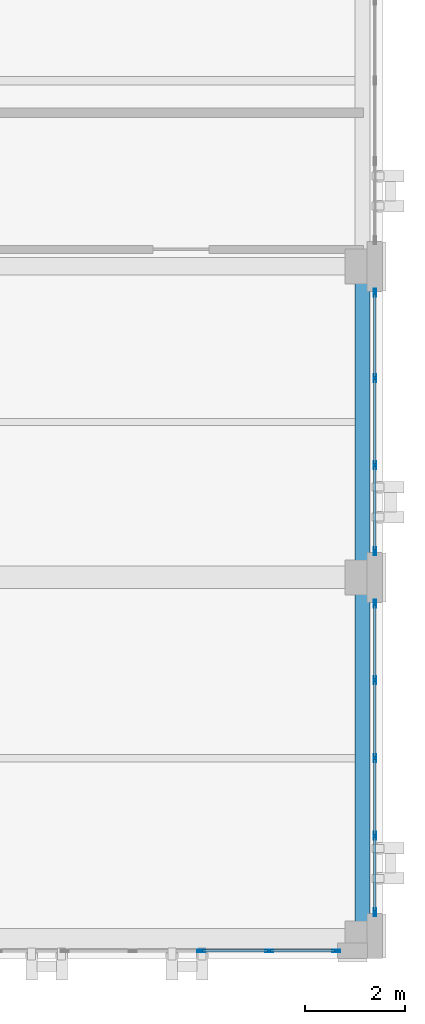
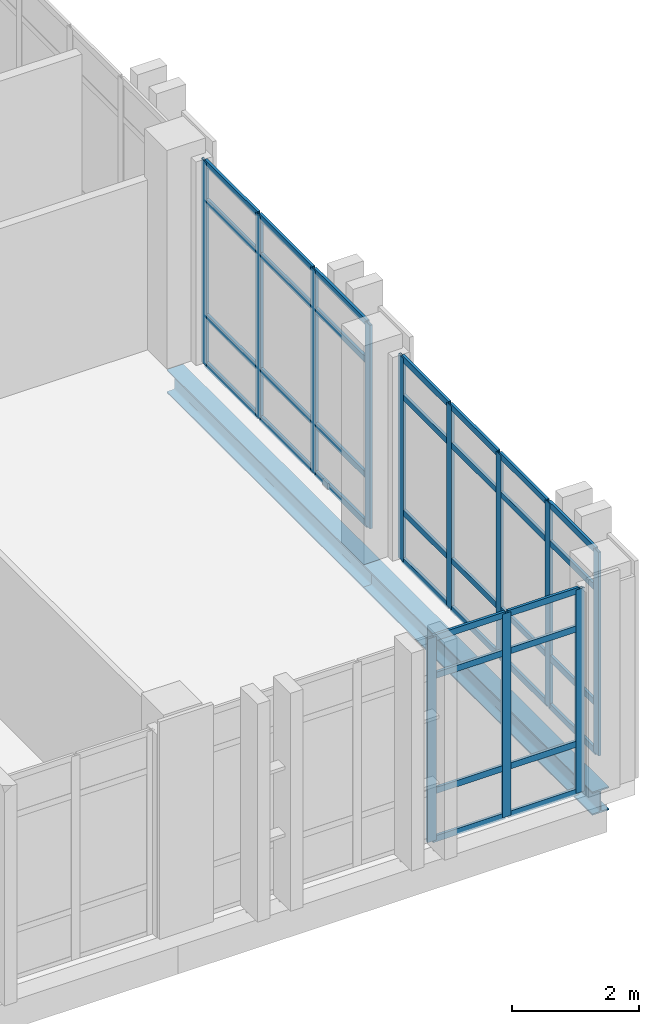
# One storey, part 128 of 193: 48 members, 2 beams, 3 elements without a shape of their own.
"""IFC4 building model written with IfcOpenShell, lengths in metres."""

import ifcopenshell
import ifcopenshell.guid

model = None  # the IFC model being written
_history = None  # IfcOwnerHistory: only IFC2X3 demands one
_inside = {}  # id of a spatial element -> (the spatial element, [elements in it])
_under = {}  # id of a project, library or spatial element -> (it, [spatial elements below it])
_declared = {}  # id of a project -> (the project, [libraries it declares])
_typed = {}  # id of a type object -> (the type object, [elements of that type])
_made_of = {}  # id of a material, layer set ... -> (it, [elements and type objects made of it])


def new_model(schema):
    """Start an empty IFC model of exactly this schema.

    Asked for "IFC4X3", IfcOpenShell would pick the latest addendum, in which some entities
    have other attributes; the version numbers below select the first issue.
    IFC2X3 requires an IfcOwnerHistory on every rooted entity: one is made here for all.
    """
    global model, _history
    if schema == "IFC4X3":
        model = ifcopenshell.file(schema_version=(4, 3, 0, 0))
    else:
        model = ifcopenshell.file(schema=schema)
    _inside.clear()
    _under.clear()
    _declared.clear()
    _typed.clear()
    _made_of.clear()
    _history = None
    if model.schema == "IFC2X3":
        org = make("IfcOrganization", Name="unknown")
        user = make(
            "IfcPersonAndOrganization",
            ThePerson=make("IfcPerson", FamilyName="unknown"),
            TheOrganization=org,
        )
        app = make(
            "IfcApplication",
            ApplicationDeveloper=org,
            Version="unknown",
            ApplicationFullName="unknown",
            ApplicationIdentifier="unknown",
        )
        _history = make(
            "IfcOwnerHistory",
            OwningUser=user,
            OwningApplication=app,
            ChangeAction="ADDED",
            CreationDate=0,
        )
    return model


def make(cls, **values):
    """One entity of the class cls with the attributes given. An attribute that is None is left unset."""
    return model.create_entity(
        cls, **{name: value for name, value in values.items() if value is not None}
    )


def rooted(cls, **values):
    """An entity with a GlobalId (a new one), such as an element, a storey or a relation."""
    return make(cls, GlobalId=ifcopenshell.guid.new(), OwnerHistory=_history, **values)


def si_unit(unit_type, name, prefix=None):
    """IfcSIUnit, for example si_unit("LENGTHUNIT", "METRE", prefix="MILLI")."""
    return make("IfcSIUnit", UnitType=unit_type, Prefix=prefix, Name=name)


def assignment(units):
    """IfcUnitAssignment: the units of a project."""
    return None if units is None else make("IfcUnitAssignment", Units=units)


def point(xyz):
    """IfcCartesianPoint."""
    return None if xyz is None else make("IfcCartesianPoint", Coordinates=xyz)


def direction(xyz):
    """IfcDirection."""
    return None if xyz is None else make("IfcDirection", DirectionRatios=xyz)


def frame(location, z_axis=None, x_axis=None):
    """IfcAxis2Placement3D, a coordinate frame: its origin and axes. An axis left out is left unset."""
    return make(
        "IfcAxis2Placement3D",
        Location=point(location),
        Axis=direction(z_axis),
        RefDirection=direction(x_axis),
    )


def frame_2d(location, x_axis=None):
    """IfcAxis2Placement2D, a coordinate frame in the plane: its origin and x axis."""
    return make(
        "IfcAxis2Placement2D", Location=point(location), RefDirection=direction(x_axis)
    )


def origin():
    """The frame at (0, 0, 0) with its axes left unset."""
    return frame((0.0, 0.0, 0.0))


def origin_2d():
    """The frame at (0, 0) in the plane with its x axis left unset."""
    return frame_2d((0.0, 0.0))


def place(relative_to, where):
    """IfcLocalPlacement: puts the frame where relative to a parent placement (None: the world)."""
    return make(
        "IfcLocalPlacement", PlacementRelTo=relative_to, RelativePlacement=where
    )


def context(
    kind, dimensions, precision=None, world=None, true_north=None, identifier=None
):
    """IfcGeometricRepresentationContext, for example the 3D "Model" context."""
    return make(
        "IfcGeometricRepresentationContext",
        ContextIdentifier=identifier,
        ContextType=kind,
        CoordinateSpaceDimension=dimensions,
        Precision=precision,
        WorldCoordinateSystem=world,
        TrueNorth=true_north,
    )


def subcontext(parent, identifier, kind, view, scale=None):
    """IfcGeometricRepresentationSubContext, for example "Body" below "Model"."""
    return make(
        "IfcGeometricRepresentationSubContext",
        ContextIdentifier=identifier,
        ContextType=kind,
        ParentContext=parent,
        TargetScale=scale,
        TargetView=view,
    )


def project(units=None, contexts=None):
    """IfcProject with its units and contexts."""
    return rooted(
        "IfcProject",
        Name="project",
        RepresentationContexts=contexts,
        UnitsInContext=assignment(units),
    )


def spatial(cls, under=None, at=None, **own):
    """A site, building, storey or space (cls), placed at a placement, below another one or the project."""
    s = rooted(cls, ObjectPlacement=at, **own)
    if under is not None:
        _under.setdefault(under.id(), (under, []))[1].append(s)
    return s


def profile(cls, at=None, kind="AREA", **sizes):
    """A parametric profile (cls). Its sizes go by their IFC names, for example OverallWidth=200.0."""
    return make(cls, ProfileType=kind, Position=at, **sizes)


def hollow_rectangle(**sizes):
    """IfcRectangleHollowProfileDef."""
    return profile("IfcRectangleHollowProfileDef", **sizes)


def i_section(**sizes):
    """IfcIShapeProfileDef."""
    return profile("IfcIShapeProfileDef", **sizes)


def extrude(swept, where, along, depth):
    """IfcExtrudedAreaSolid: the profile swept, set in the frame where, extruded along a direction by depth."""
    return make(
        "IfcExtrudedAreaSolid",
        SweptArea=swept,
        Position=where,
        ExtrudedDirection=direction(along),
        Depth=depth,
    )


def shape(context_of_items, identifier, shape_type, items):
    """IfcShapeRepresentation: the items that make up one representation, for example the "Body"."""
    return make(
        "IfcShapeRepresentation",
        ContextOfItems=context_of_items,
        RepresentationIdentifier=identifier,
        RepresentationType=shape_type,
        Items=items,
    )


def material(Name=None, Category=None):
    """IfcMaterial."""
    return make("IfcMaterial", Name=Name, Category=Category)


def layer(
    of_material, thickness, ventilated=None, Name=None, Category=None, Priority=None
):
    """IfcMaterialLayer: one layer of a wall or slab, of a material (None: an air gap)."""
    return make(
        "IfcMaterialLayer",
        Material=of_material,
        LayerThickness=thickness,
        IsVentilated=ventilated,
        Name=Name,
        Category=Category,
        Priority=Priority,
    )


def layer_set(layers, Name=None):
    """IfcMaterialLayerSet."""
    return make("IfcMaterialLayerSet", MaterialLayers=layers, LayerSetName=Name)


def material_profile(
    of_material, cross_section, Name=None, Category=None, Priority=None
):
    """IfcMaterialProfile: a cross section and its material."""
    return make(
        "IfcMaterialProfile",
        Name=Name,
        Material=of_material,
        Profile=cross_section,
        Priority=Priority,
        Category=Category,
    )


def profile_set(profiles, Name=None, composite=None):
    """IfcMaterialProfileSet."""
    return make(
        "IfcMaterialProfileSet",
        Name=Name,
        MaterialProfiles=profiles,
        CompositeProfile=composite,
    )


def made_of(thing, what):
    """Note that an element or type object is made of a material, layer set ...; save() writes the relation."""
    if what is not None:
        _made_of.setdefault(what.id(), (what, []))[1].append(thing)
    return thing


def type_object(cls, material=None, **own):
    """A type object (cls), such as IfcWallType, which elements share."""
    return made_of(rooted(cls, **own), material)


def element(
    cls,
    number,
    at=None,
    inside=None,
    cuts=None,
    type_object=None,
    material=None,
    context=None,
    identifier="Body",
    shape_type=None,
    held_by="IfcProductDefinitionShape",
    body=None,
    shapes=None,
    **own,
):
    """One element of the class cls, such as IfcWall. Its Tag is "e" and its number.

    at: its placement. inside: the storey or other place that contains it. cuts: it is an
    opening in that element (IfcRelVoidsElement). A single representation is given by context,
    identifier, shape_type and body (its items); several are given by shapes. held_by: the class
    of the entity that holds the representations. save() writes the other relations.
    """
    e = rooted(cls, Tag="e%d" % number, ObjectPlacement=at, **own)
    if body is not None:
        shapes = [shape(context, identifier, shape_type, body)]
    if shapes is not None:
        e.Representation = make(held_by, Representations=shapes)
    if inside is not None:
        _inside.setdefault(inside.id(), (inside, []))[1].append(e)
    if cuts is not None:
        rooted(
            "IfcRelVoidsElement", RelatingBuildingElement=cuts, RelatedOpeningElement=e
        )
    if type_object is not None:
        _typed.setdefault(type_object.id(), (type_object, []))[1].append(e)
    return made_of(e, material)


def aggregate(whole, parts):
    """IfcRelAggregates: a whole, such as a stair, and the parts it consists of."""
    return rooted("IfcRelAggregates", RelatingObject=whole, RelatedObjects=parts)


def save(model, path):
    """Write the relations noted so far, then the file.

    IfcRelAggregates (storeys below a building ...), IfcRelContainedInSpatialStructure (elements
    in a storey), IfcRelDefinesByType, IfcRelAssociatesMaterial and IfcRelDeclares: one each for
    every whole, place, type object, material and project.
    """
    for whole, parts in _under.values():
        aggregate(whole, parts)
    for where, things in _inside.values():
        rooted(
            "IfcRelContainedInSpatialStructure",
            RelatedElements=things,
            RelatingStructure=where,
        )
    for kind, things in _typed.values():
        rooted("IfcRelDefinesByType", RelatedObjects=things, RelatingType=kind)
    for what, things in _made_of.values():
        rooted("IfcRelAssociatesMaterial", RelatedObjects=things, RelatingMaterial=what)
    for by, libraries in _declared.values():
        rooted("IfcRelDeclares", RelatingContext=by, RelatedDefinitions=libraries)
    model.write(path)


model = new_model("IFC4")

# Units and contexts
model_context = context("Model", 3, precision=1e-05, world=origin(), true_north=direction((0.0, 1.0)))
body_context = subcontext(model_context, "Body", "Model", "MODEL_VIEW")
ifc_project = project(units=[si_unit("LENGTHUNIT", "METRE"), si_unit("AREAUNIT", "SQUARE_METRE"), si_unit("VOLUMEUNIT", "CUBIC_METRE"), si_unit("PLANEANGLEUNIT", "RADIAN"), si_unit("MASSUNIT", "GRAM", prefix="KILO")], contexts=[model_context])

# Site, building, storey
site_placement = place(None, origin())
site = spatial("IfcSite", under=ifc_project, at=site_placement, CompositionType="ELEMENT")
building_placement = place(site_placement, origin())
building = spatial("IfcBuilding", under=site, at=building_placement, Name="Qalavern Law Courts", CompositionType="ELEMENT")
storey_placement = place(building_placement, frame((0.0, 0.0, 10.199951171875)))
storey = spatial("IfcBuildingStorey", under=building, at=storey_placement, Name="L02", CompositionType="ELEMENT", Elevation=10.199951171875)

# Curtain wall, members
ifc_material_1 = material(Name="Anodised aluminium and insulated glazing", Category="aluminium")
ifc_layer = layer(ifc_material_1, 0.172119140625)
ifc_layer_set = layer_set([ifc_layer], Name="Anodised aluminium and insulated glazing")
curtain_wall_type = type_object("IfcCurtainWallType", Name="ENV-CW-COURT", PredefinedType="USERDEFINED", material=ifc_layer_set)
curtain_wall_1_placement = place(storey_placement, origin())
curtain_wall_1 = element("IfcCurtainWall", 1, at=curtain_wall_1_placement, inside=storey, type_object=curtain_wall_type, Name="V6 unitised curtain wall L02 south 7", ObjectType="UNITISED CURTAIN WALL", PredefinedType="USERDEFINED")
ifc_material_2 = material(Name="Anodised aluminium", Category="aluminium")
ifc_material_profile_1 = material_profile(ifc_material_2, hollow_rectangle(XDim=0.048095703125, YDim=0.159912109375, WallThickness=0.00390625, at=origin_2d()), Name="ALU MULLION 48x160")
ifc_profile_set_1 = profile_set([ifc_material_profile_1], Name="Anodised aluminium")
member_type_1 = type_object("IfcMemberType", Name="ENV-CWM-48x160", PredefinedType="MULLION", material=ifc_profile_set_1)
member_1_placement = place(storey_placement, frame((162.3798828125, 1.155029296875, 0.0), z_axis=(0.0, 0.0, 1.0), x_axis=(0.0, 1.0, 0.0)))
member_1 = element("IfcMember", 2, at=member_1_placement, type_object=member_type_1, Name="CW-03 mullion 4", PredefinedType="MULLION", context=body_context, shape_type="SweptSolid", body=[
    extrude(hollow_rectangle(XDim=0.048095703125, YDim=0.159912109375, WallThickness=0.00390625, at=origin_2d()), origin(), (0.0, 0.0, 1.0), 3.9150390625),
])
member_2_placement = place(storey_placement, frame((163.739990234375, 1.155029296875, 0.0), z_axis=(0.0, 0.0, 1.0), x_axis=(0.0, 1.0, 0.0)))
member_2 = element("IfcMember", 3, at=member_2_placement, type_object=member_type_1, Name="CW-03 mullion 5", PredefinedType="MULLION", context=body_context, shape_type="SweptSolid", body=[
    extrude(hollow_rectangle(XDim=0.048095703125, YDim=0.159912109375, WallThickness=0.00390625, at=origin_2d()), origin(), (0.0, 0.0, 1.0), 3.9150390625),
])
member_3_placement = place(storey_placement, frame((165.075927734375, 1.155029296875, 0.0), z_axis=(0.0, 0.0, 1.0), x_axis=(0.0, 1.0, 0.0)))
member_3 = element("IfcMember", 4, at=member_3_placement, type_object=member_type_1, Name="CW-03 mullion 6", PredefinedType="MULLION", context=body_context, shape_type="SweptSolid", body=[
    extrude(hollow_rectangle(XDim=0.048095703125, YDim=0.159912109375, WallThickness=0.00390625, at=origin_2d()), origin(), (0.0, 0.0, 1.0), 3.9150390625),
])

curtain_wall_2_placement = place(storey_placement, origin())
curtain_wall_2 = element("IfcCurtainWall", 5, at=curtain_wall_2_placement, inside=storey, type_object=curtain_wall_type, Name="V6 unitised curtain wall L02 east 1", ObjectType="UNITISED CURTAIN WALL", PredefinedType="USERDEFINED")
member_4_placement = place(storey_placement, frame((165.844970703125, 1.924072265625, 0.0), z_axis=(0.0, 0.0, 1.0), x_axis=(-1.0, 0.0, 0.0)))
member_4 = element("IfcMember", 6, at=member_4_placement, type_object=member_type_1, Name="CW-03 mullion 1", PredefinedType="MULLION", context=body_context, shape_type="SweptSolid", body=[
    extrude(hollow_rectangle(XDim=0.048095703125, YDim=0.159912109375, WallThickness=0.00390625, at=origin_2d()), origin(), (0.0, 0.0, 1.0), 3.9150390625),
])
member_5_placement = place(storey_placement, frame((165.844970703125, 3.449951171875, 0.0), z_axis=(0.0, 0.0, 1.0), x_axis=(-1.0, 0.0, 0.0)))
member_5 = element("IfcMember", 7, at=member_5_placement, type_object=member_type_1, Name="CW-03 mullion 2", PredefinedType="MULLION", context=body_context, shape_type="SweptSolid", body=[
    extrude(hollow_rectangle(XDim=0.048095703125, YDim=0.159912109375, WallThickness=0.00390625, at=origin_2d()), origin(), (0.0, 0.0, 1.0), 3.9150390625),
])
member_6_placement = place(storey_placement, frame((165.844970703125, 5.0, 0.0), z_axis=(0.0, 0.0, 1.0), x_axis=(-1.0, 0.0, 0.0)))
member_6 = element("IfcMember", 8, at=member_6_placement, type_object=member_type_1, Name="CW-03 mullion 3", PredefinedType="MULLION", context=body_context, shape_type="SweptSolid", body=[
    extrude(hollow_rectangle(XDim=0.048095703125, YDim=0.159912109375, WallThickness=0.00390625, at=origin_2d()), origin(), (0.0, 0.0, 1.0), 3.9150390625),
])
member_7_placement = place(storey_placement, frame((165.844970703125, 6.550048828125, 0.0), z_axis=(0.0, 0.0, 1.0), x_axis=(-1.0, 0.0, 0.0)))
member_7 = element("IfcMember", 9, at=member_7_placement, type_object=member_type_1, Name="CW-03 mullion 4", PredefinedType="MULLION", context=body_context, shape_type="SweptSolid", body=[
    extrude(hollow_rectangle(XDim=0.048095703125, YDim=0.159912109375, WallThickness=0.00390625, at=origin_2d()), origin(), (0.0, 0.0, 1.0), 3.9150390625),
])
member_8_placement = place(storey_placement, frame((165.844970703125, 8.075927734375, 0.0), z_axis=(0.0, 0.0, 1.0), x_axis=(-1.0, 0.0, 0.0)))
member_8 = element("IfcMember", 10, at=member_8_placement, type_object=member_type_1, Name="CW-03 mullion 5", PredefinedType="MULLION", context=body_context, shape_type="SweptSolid", body=[
    extrude(hollow_rectangle(XDim=0.048095703125, YDim=0.159912109375, WallThickness=0.00390625, at=origin_2d()), origin(), (0.0, 0.0, 1.0), 3.9150390625),
])

curtain_wall_3_placement = place(storey_placement, origin())
curtain_wall_3 = element("IfcCurtainWall", 11, at=curtain_wall_3_placement, inside=storey, type_object=curtain_wall_type, Name="V6 unitised curtain wall L02 east 2", ObjectType="UNITISED CURTAIN WALL", PredefinedType="USERDEFINED")
member_9_placement = place(storey_placement, frame((165.844970703125, 9.1240234375, 0.0), z_axis=(0.0, 0.0, 1.0), x_axis=(-1.0, 0.0, 0.0)))
member_9 = element("IfcMember", 12, at=member_9_placement, type_object=member_type_1, Name="CW-03 mullion 1", PredefinedType="MULLION", context=body_context, shape_type="SweptSolid", body=[
    extrude(hollow_rectangle(XDim=0.048095703125, YDim=0.159912109375, WallThickness=0.00390625, at=origin_2d()), origin(), (0.0, 0.0, 1.0), 3.9150390625),
])
member_10_placement = place(storey_placement, frame((165.844970703125, 10.833251953125, 0.0), z_axis=(0.0, 0.0, 1.0), x_axis=(-1.0, 0.0, 0.0)))
member_10 = element("IfcMember", 13, at=member_10_placement, type_object=member_type_1, Name="CW-03 mullion 2", PredefinedType="MULLION", context=body_context, shape_type="SweptSolid", body=[
    extrude(hollow_rectangle(XDim=0.048095703125, YDim=0.159912109375, WallThickness=0.00390625, at=origin_2d()), origin(), (0.0, 0.0, 1.0), 3.9150390625),
])
member_11_placement = place(storey_placement, frame((165.844970703125, 12.566650390625, 0.0), z_axis=(0.0, 0.0, 1.0), x_axis=(-1.0, 0.0, 0.0)))
member_11 = element("IfcMember", 14, at=member_11_placement, type_object=member_type_1, Name="CW-03 mullion 3", PredefinedType="MULLION", context=body_context, shape_type="SweptSolid", body=[
    extrude(hollow_rectangle(XDim=0.048095703125, YDim=0.159912109375, WallThickness=0.00390625, at=origin_2d()), origin(), (0.0, 0.0, 1.0), 3.9150390625),
])
member_12_placement = place(storey_placement, frame((165.844970703125, 14.27587890625, 0.0), z_axis=(0.0, 0.0, 1.0), x_axis=(-1.0, 0.0, 0.0)))
member_12 = element("IfcMember", 15, at=member_12_placement, type_object=member_type_1, Name="CW-03 mullion 4", PredefinedType="MULLION", context=body_context, shape_type="SweptSolid", body=[
    extrude(hollow_rectangle(XDim=0.048095703125, YDim=0.159912109375, WallThickness=0.00390625, at=origin_2d()), origin(), (0.0, 0.0, 1.0), 3.9150390625),
])

# Member
ifc_material_profile_2 = material_profile(ifc_material_2, hollow_rectangle(XDim=0.048095703125, YDim=0.1201171875, WallThickness=0.00390625, at=origin_2d()), Name="ALU TRANSOM 48x120")
ifc_profile_set_2 = profile_set([ifc_material_profile_2], Name="Anodised aluminium")
member_type_2 = type_object("IfcMemberType", Name="ENV-CWT-48x120", PredefinedType="USERDEFINED", material=ifc_profile_set_2)
member_13_placement = place(storey_placement, frame((162.404052734375, 1.155029296875, 0.024169921875), z_axis=(1.0, 0.0, 0.0), x_axis=(0.0, 1.0, 0.0)))
member_13 = element("IfcMember", 16, at=member_13_placement, type_object=member_type_2, Name="CW-03 transom 4.1", ObjectType="TRANSOM", PredefinedType="USERDEFINED", context=body_context, shape_type="SweptSolid", body=[
    extrude(hollow_rectangle(XDim=0.048095703125, YDim=0.1201171875, WallThickness=0.00390625, at=origin_2d()), origin(), (0.0, 0.0, 1.0), 1.31201171875),
])

member_14_placement = place(storey_placement, frame((162.404052734375, 1.155029296875, 0.949951171875), z_axis=(1.0, 0.0, 0.0), x_axis=(0.0, 1.0, 0.0)))
member_14 = element("IfcMember", 17, at=member_14_placement, type_object=member_type_2, Name="CW-03 transom 4.2", ObjectType="TRANSOM", PredefinedType="USERDEFINED", context=body_context, shape_type="SweptSolid", body=[
    extrude(hollow_rectangle(XDim=0.048095703125, YDim=0.1201171875, WallThickness=0.00390625, at=origin_2d()), origin(), (0.0, 0.0, 1.0), 1.31201171875),
])

member_15_placement = place(storey_placement, frame((162.404052734375, 1.155029296875, 3.1650390625), z_axis=(1.0, 0.0, 0.0), x_axis=(0.0, 1.0, 0.0)))
member_15 = element("IfcMember", 18, at=member_15_placement, type_object=member_type_2, Name="CW-03 transom 4.3", ObjectType="TRANSOM", PredefinedType="USERDEFINED", context=body_context, shape_type="SweptSolid", body=[
    extrude(hollow_rectangle(XDim=0.048095703125, YDim=0.1201171875, WallThickness=0.00390625, at=origin_2d()), origin(), (0.0, 0.0, 1.0), 1.31201171875),
])

member_16_placement = place(storey_placement, frame((162.404052734375, 1.155029296875, 3.89111328125), z_axis=(1.0, 0.0, 0.0), x_axis=(0.0, 1.0, 0.0)))
member_16 = element("IfcMember", 19, at=member_16_placement, type_object=member_type_2, Name="CW-03 transom 4.4", ObjectType="TRANSOM", PredefinedType="USERDEFINED", context=body_context, shape_type="SweptSolid", body=[
    extrude(hollow_rectangle(XDim=0.048095703125, YDim=0.1201171875, WallThickness=0.00390625, at=origin_2d()), origin(), (0.0, 0.0, 1.0), 1.31201171875),
])

member_17_placement = place(storey_placement, frame((163.763916015625, 1.155029296875, 0.024169921875), z_axis=(1.0, 0.0, 0.0), x_axis=(0.0, 1.0, 0.0)))
member_17 = element("IfcMember", 20, at=member_17_placement, type_object=member_type_2, Name="CW-03 transom 5.1", ObjectType="TRANSOM", PredefinedType="USERDEFINED", context=body_context, shape_type="SweptSolid", body=[
    extrude(hollow_rectangle(XDim=0.048095703125, YDim=0.1201171875, WallThickness=0.00390625, at=origin_2d()), origin(), (0.0, 0.0, 1.0), 1.2880859375),
])

member_18_placement = place(storey_placement, frame((163.763916015625, 1.155029296875, 0.949951171875), z_axis=(1.0, 0.0, 0.0), x_axis=(0.0, 1.0, 0.0)))
member_18 = element("IfcMember", 21, at=member_18_placement, type_object=member_type_2, Name="CW-03 transom 5.2", ObjectType="TRANSOM", PredefinedType="USERDEFINED", context=body_context, shape_type="SweptSolid", body=[
    extrude(hollow_rectangle(XDim=0.048095703125, YDim=0.1201171875, WallThickness=0.00390625, at=origin_2d()), origin(), (0.0, 0.0, 1.0), 1.2880859375),
])

member_19_placement = place(storey_placement, frame((163.763916015625, 1.155029296875, 3.1650390625), z_axis=(1.0, 0.0, 0.0), x_axis=(0.0, 1.0, 0.0)))
member_19 = element("IfcMember", 22, at=member_19_placement, type_object=member_type_2, Name="CW-03 transom 5.3", ObjectType="TRANSOM", PredefinedType="USERDEFINED", context=body_context, shape_type="SweptSolid", body=[
    extrude(hollow_rectangle(XDim=0.048095703125, YDim=0.1201171875, WallThickness=0.00390625, at=origin_2d()), origin(), (0.0, 0.0, 1.0), 1.2880859375),
])

member_20_placement = place(storey_placement, frame((163.763916015625, 1.155029296875, 3.89111328125), z_axis=(1.0, 0.0, 0.0), x_axis=(0.0, 1.0, 0.0)))
member_20 = element("IfcMember", 23, at=member_20_placement, type_object=member_type_2, Name="CW-03 transom 5.4", ObjectType="TRANSOM", PredefinedType="USERDEFINED", context=body_context, shape_type="SweptSolid", body=[
    extrude(hollow_rectangle(XDim=0.048095703125, YDim=0.1201171875, WallThickness=0.00390625, at=origin_2d()), origin(), (0.0, 0.0, 1.0), 1.2880859375),
])

aggregate(curtain_wall_1, [member_1, member_2, member_3, member_13, member_14, member_15, member_16, member_17, member_18, member_19, member_20])

member_21_placement = place(storey_placement, frame((165.844970703125, 1.947998046875, 0.024169921875), z_axis=(0.0, 1.0, 0.0), x_axis=(-1.0, 0.0, 0.0)))
member_21 = element("IfcMember", 24, at=member_21_placement, type_object=member_type_2, Name="CW-03 transom 1.1", ObjectType="TRANSOM", PredefinedType="USERDEFINED", context=body_context, shape_type="SweptSolid", body=[
    extrude(hollow_rectangle(XDim=0.048095703125, YDim=0.1201171875, WallThickness=0.00390625, at=origin_2d()), origin(), (0.0, 0.0, 1.0), 1.47802734375),
])

member_22_placement = place(storey_placement, frame((165.844970703125, 1.947998046875, 0.949951171875), z_axis=(0.0, 1.0, 0.0), x_axis=(-1.0, 0.0, 0.0)))
member_22 = element("IfcMember", 25, at=member_22_placement, type_object=member_type_2, Name="CW-03 transom 1.2", ObjectType="TRANSOM", PredefinedType="USERDEFINED", context=body_context, shape_type="SweptSolid", body=[
    extrude(hollow_rectangle(XDim=0.048095703125, YDim=0.1201171875, WallThickness=0.00390625, at=origin_2d()), origin(), (0.0, 0.0, 1.0), 1.47802734375),
])

member_23_placement = place(storey_placement, frame((165.844970703125, 1.947998046875, 3.1650390625), z_axis=(0.0, 1.0, 0.0), x_axis=(-1.0, 0.0, 0.0)))
member_23 = element("IfcMember", 26, at=member_23_placement, type_object=member_type_2, Name="CW-03 transom 1.3", ObjectType="TRANSOM", PredefinedType="USERDEFINED", context=body_context, shape_type="SweptSolid", body=[
    extrude(hollow_rectangle(XDim=0.048095703125, YDim=0.1201171875, WallThickness=0.00390625, at=origin_2d()), origin(), (0.0, 0.0, 1.0), 1.47802734375),
])

member_24_placement = place(storey_placement, frame((165.844970703125, 1.947998046875, 3.89111328125), z_axis=(0.0, 1.0, 0.0), x_axis=(-1.0, 0.0, 0.0)))
member_24 = element("IfcMember", 27, at=member_24_placement, type_object=member_type_2, Name="CW-03 transom 1.4", ObjectType="TRANSOM", PredefinedType="USERDEFINED", context=body_context, shape_type="SweptSolid", body=[
    extrude(hollow_rectangle(XDim=0.048095703125, YDim=0.1201171875, WallThickness=0.00390625, at=origin_2d()), origin(), (0.0, 0.0, 1.0), 1.47802734375),
])

member_25_placement = place(storey_placement, frame((165.844970703125, 3.47412109375, 0.024169921875), z_axis=(0.0, 1.0, 0.0), x_axis=(-1.0, 0.0, 0.0)))
member_25 = element("IfcMember", 28, at=member_25_placement, type_object=member_type_2, Name="CW-03 transom 2.1", ObjectType="TRANSOM", PredefinedType="USERDEFINED", context=body_context, shape_type="SweptSolid", body=[
    extrude(hollow_rectangle(XDim=0.048095703125, YDim=0.1201171875, WallThickness=0.00390625, at=origin_2d()), origin(), (0.0, 0.0, 1.0), 1.501953125),
])

member_26_placement = place(storey_placement, frame((165.844970703125, 3.47412109375, 0.949951171875), z_axis=(0.0, 1.0, 0.0), x_axis=(-1.0, 0.0, 0.0)))
member_26 = element("IfcMember", 29, at=member_26_placement, type_object=member_type_2, Name="CW-03 transom 2.2", ObjectType="TRANSOM", PredefinedType="USERDEFINED", context=body_context, shape_type="SweptSolid", body=[
    extrude(hollow_rectangle(XDim=0.048095703125, YDim=0.1201171875, WallThickness=0.00390625, at=origin_2d()), origin(), (0.0, 0.0, 1.0), 1.501953125),
])

member_27_placement = place(storey_placement, frame((165.844970703125, 3.47412109375, 3.1650390625), z_axis=(0.0, 1.0, 0.0), x_axis=(-1.0, 0.0, 0.0)))
member_27 = element("IfcMember", 30, at=member_27_placement, type_object=member_type_2, Name="CW-03 transom 2.3", ObjectType="TRANSOM", PredefinedType="USERDEFINED", context=body_context, shape_type="SweptSolid", body=[
    extrude(hollow_rectangle(XDim=0.048095703125, YDim=0.1201171875, WallThickness=0.00390625, at=origin_2d()), origin(), (0.0, 0.0, 1.0), 1.501953125),
])

member_28_placement = place(storey_placement, frame((165.844970703125, 3.47412109375, 3.89111328125), z_axis=(0.0, 1.0, 0.0), x_axis=(-1.0, 0.0, 0.0)))
member_28 = element("IfcMember", 31, at=member_28_placement, type_object=member_type_2, Name="CW-03 transom 2.4", ObjectType="TRANSOM", PredefinedType="USERDEFINED", context=body_context, shape_type="SweptSolid", body=[
    extrude(hollow_rectangle(XDim=0.048095703125, YDim=0.1201171875, WallThickness=0.00390625, at=origin_2d()), origin(), (0.0, 0.0, 1.0), 1.501953125),
])

member_29_placement = place(storey_placement, frame((165.844970703125, 5.02392578125, 0.024169921875), z_axis=(0.0, 1.0, 0.0), x_axis=(-1.0, 0.0, 0.0)))
member_29 = element("IfcMember", 32, at=member_29_placement, type_object=member_type_2, Name="CW-03 transom 3.1", ObjectType="TRANSOM", PredefinedType="USERDEFINED", context=body_context, shape_type="SweptSolid", body=[
    extrude(hollow_rectangle(XDim=0.048095703125, YDim=0.1201171875, WallThickness=0.00390625, at=origin_2d()), origin(), (0.0, 0.0, 1.0), 1.501953125),
])

member_30_placement = place(storey_placement, frame((165.844970703125, 5.02392578125, 0.949951171875), z_axis=(0.0, 1.0, 0.0), x_axis=(-1.0, 0.0, 0.0)))
member_30 = element("IfcMember", 33, at=member_30_placement, type_object=member_type_2, Name="CW-03 transom 3.2", ObjectType="TRANSOM", PredefinedType="USERDEFINED", context=body_context, shape_type="SweptSolid", body=[
    extrude(hollow_rectangle(XDim=0.048095703125, YDim=0.1201171875, WallThickness=0.00390625, at=origin_2d()), origin(), (0.0, 0.0, 1.0), 1.501953125),
])

member_31_placement = place(storey_placement, frame((165.844970703125, 5.02392578125, 3.1650390625), z_axis=(0.0, 1.0, 0.0), x_axis=(-1.0, 0.0, 0.0)))
member_31 = element("IfcMember", 34, at=member_31_placement, type_object=member_type_2, Name="CW-03 transom 3.3", ObjectType="TRANSOM", PredefinedType="USERDEFINED", context=body_context, shape_type="SweptSolid", body=[
    extrude(hollow_rectangle(XDim=0.048095703125, YDim=0.1201171875, WallThickness=0.00390625, at=origin_2d()), origin(), (0.0, 0.0, 1.0), 1.501953125),
])

member_32_placement = place(storey_placement, frame((165.844970703125, 5.02392578125, 3.89111328125), z_axis=(0.0, 1.0, 0.0), x_axis=(-1.0, 0.0, 0.0)))
member_32 = element("IfcMember", 35, at=member_32_placement, type_object=member_type_2, Name="CW-03 transom 3.4", ObjectType="TRANSOM", PredefinedType="USERDEFINED", context=body_context, shape_type="SweptSolid", body=[
    extrude(hollow_rectangle(XDim=0.048095703125, YDim=0.1201171875, WallThickness=0.00390625, at=origin_2d()), origin(), (0.0, 0.0, 1.0), 1.501953125),
])

member_33_placement = place(storey_placement, frame((165.844970703125, 6.573974609375, 0.024169921875), z_axis=(0.0, 1.0, 0.0), x_axis=(-1.0, 0.0, 0.0)))
member_33 = element("IfcMember", 36, at=member_33_placement, type_object=member_type_2, Name="CW-03 transom 4.1", ObjectType="TRANSOM", PredefinedType="USERDEFINED", context=body_context, shape_type="SweptSolid", body=[
    extrude(hollow_rectangle(XDim=0.048095703125, YDim=0.1201171875, WallThickness=0.00390625, at=origin_2d()), origin(), (0.0, 0.0, 1.0), 1.47802734375),
])

member_34_placement = place(storey_placement, frame((165.844970703125, 6.573974609375, 0.949951171875), z_axis=(0.0, 1.0, 0.0), x_axis=(-1.0, 0.0, 0.0)))
member_34 = element("IfcMember", 37, at=member_34_placement, type_object=member_type_2, Name="CW-03 transom 4.2", ObjectType="TRANSOM", PredefinedType="USERDEFINED", context=body_context, shape_type="SweptSolid", body=[
    extrude(hollow_rectangle(XDim=0.048095703125, YDim=0.1201171875, WallThickness=0.00390625, at=origin_2d()), origin(), (0.0, 0.0, 1.0), 1.47802734375),
])

member_35_placement = place(storey_placement, frame((165.844970703125, 6.573974609375, 3.1650390625), z_axis=(0.0, 1.0, 0.0), x_axis=(-1.0, 0.0, 0.0)))
member_35 = element("IfcMember", 38, at=member_35_placement, type_object=member_type_2, Name="CW-03 transom 4.3", ObjectType="TRANSOM", PredefinedType="USERDEFINED", context=body_context, shape_type="SweptSolid", body=[
    extrude(hollow_rectangle(XDim=0.048095703125, YDim=0.1201171875, WallThickness=0.00390625, at=origin_2d()), origin(), (0.0, 0.0, 1.0), 1.47802734375),
])

member_36_placement = place(storey_placement, frame((165.844970703125, 6.573974609375, 3.89111328125), z_axis=(0.0, 1.0, 0.0), x_axis=(-1.0, 0.0, 0.0)))
member_36 = element("IfcMember", 39, at=member_36_placement, type_object=member_type_2, Name="CW-03 transom 4.4", ObjectType="TRANSOM", PredefinedType="USERDEFINED", context=body_context, shape_type="SweptSolid", body=[
    extrude(hollow_rectangle(XDim=0.048095703125, YDim=0.1201171875, WallThickness=0.00390625, at=origin_2d()), origin(), (0.0, 0.0, 1.0), 1.47802734375),
])

aggregate(curtain_wall_2, [member_4, member_5, member_6, member_7, member_8, member_21, member_22, member_23, member_24, member_25, member_26, member_27, member_28, member_29, member_30, member_31, member_32, member_33, member_34, member_35, member_36])

member_37_placement = place(storey_placement, frame((165.844970703125, 9.14794921875, 0.024169921875), z_axis=(0.0, 1.0, 0.0), x_axis=(-1.0, 0.0, 0.0)))
member_37 = element("IfcMember", 40, at=member_37_placement, type_object=member_type_2, Name="CW-03 transom 1.1", ObjectType="TRANSOM", PredefinedType="USERDEFINED", context=body_context, shape_type="SweptSolid", body=[
    extrude(hollow_rectangle(XDim=0.048095703125, YDim=0.1201171875, WallThickness=0.00390625, at=origin_2d()), origin(), (0.0, 0.0, 1.0), 1.661376953125),
])

member_38_placement = place(storey_placement, frame((165.844970703125, 9.14794921875, 0.949951171875), z_axis=(0.0, 1.0, 0.0), x_axis=(-1.0, 0.0, 0.0)))
member_38 = element("IfcMember", 41, at=member_38_placement, type_object=member_type_2, Name="CW-03 transom 1.2", ObjectType="TRANSOM", PredefinedType="USERDEFINED", context=body_context, shape_type="SweptSolid", body=[
    extrude(hollow_rectangle(XDim=0.048095703125, YDim=0.1201171875, WallThickness=0.00390625, at=origin_2d()), origin(), (0.0, 0.0, 1.0), 1.661376953125),
])

member_39_placement = place(storey_placement, frame((165.844970703125, 9.14794921875, 3.1650390625), z_axis=(0.0, 1.0, 0.0), x_axis=(-1.0, 0.0, 0.0)))
member_39 = element("IfcMember", 42, at=member_39_placement, type_object=member_type_2, Name="CW-03 transom 1.3", ObjectType="TRANSOM", PredefinedType="USERDEFINED", context=body_context, shape_type="SweptSolid", body=[
    extrude(hollow_rectangle(XDim=0.048095703125, YDim=0.1201171875, WallThickness=0.00390625, at=origin_2d()), origin(), (0.0, 0.0, 1.0), 1.661376953125),
])

member_40_placement = place(storey_placement, frame((165.844970703125, 9.14794921875, 3.89111328125), z_axis=(0.0, 1.0, 0.0), x_axis=(-1.0, 0.0, 0.0)))
member_40 = element("IfcMember", 43, at=member_40_placement, type_object=member_type_2, Name="CW-03 transom 1.4", ObjectType="TRANSOM", PredefinedType="USERDEFINED", context=body_context, shape_type="SweptSolid", body=[
    extrude(hollow_rectangle(XDim=0.048095703125, YDim=0.1201171875, WallThickness=0.00390625, at=origin_2d()), origin(), (0.0, 0.0, 1.0), 1.661376953125),
])

member_41_placement = place(storey_placement, frame((165.844970703125, 10.857421875, 0.024169921875), z_axis=(0.0, 1.0, 0.0), x_axis=(-1.0, 0.0, 0.0)))
member_41 = element("IfcMember", 44, at=member_41_placement, type_object=member_type_2, Name="CW-03 transom 2.1", ObjectType="TRANSOM", PredefinedType="USERDEFINED", context=body_context, shape_type="SweptSolid", body=[
    extrude(hollow_rectangle(XDim=0.048095703125, YDim=0.1201171875, WallThickness=0.00390625, at=origin_2d()), origin(), (0.0, 0.0, 1.0), 1.685302734375),
])

member_42_placement = place(storey_placement, frame((165.844970703125, 10.857421875, 0.949951171875), z_axis=(0.0, 1.0, 0.0), x_axis=(-1.0, 0.0, 0.0)))
member_42 = element("IfcMember", 45, at=member_42_placement, type_object=member_type_2, Name="CW-03 transom 2.2", ObjectType="TRANSOM", PredefinedType="USERDEFINED", context=body_context, shape_type="SweptSolid", body=[
    extrude(hollow_rectangle(XDim=0.048095703125, YDim=0.1201171875, WallThickness=0.00390625, at=origin_2d()), origin(), (0.0, 0.0, 1.0), 1.685302734375),
])

member_43_placement = place(storey_placement, frame((165.844970703125, 10.857421875, 3.1650390625), z_axis=(0.0, 1.0, 0.0), x_axis=(-1.0, 0.0, 0.0)))
member_43 = element("IfcMember", 46, at=member_43_placement, type_object=member_type_2, Name="CW-03 transom 2.3", ObjectType="TRANSOM", PredefinedType="USERDEFINED", context=body_context, shape_type="SweptSolid", body=[
    extrude(hollow_rectangle(XDim=0.048095703125, YDim=0.1201171875, WallThickness=0.00390625, at=origin_2d()), origin(), (0.0, 0.0, 1.0), 1.685302734375),
])

member_44_placement = place(storey_placement, frame((165.844970703125, 10.857421875, 3.89111328125), z_axis=(0.0, 1.0, 0.0), x_axis=(-1.0, 0.0, 0.0)))
member_44 = element("IfcMember", 47, at=member_44_placement, type_object=member_type_2, Name="CW-03 transom 2.4", ObjectType="TRANSOM", PredefinedType="USERDEFINED", context=body_context, shape_type="SweptSolid", body=[
    extrude(hollow_rectangle(XDim=0.048095703125, YDim=0.1201171875, WallThickness=0.00390625, at=origin_2d()), origin(), (0.0, 0.0, 1.0), 1.685302734375),
])

member_45_placement = place(storey_placement, frame((165.844970703125, 12.590576171875, 0.024169921875), z_axis=(0.0, 1.0, 0.0), x_axis=(-1.0, 0.0, 0.0)))
member_45 = element("IfcMember", 48, at=member_45_placement, type_object=member_type_2, Name="CW-03 transom 3.1", ObjectType="TRANSOM", PredefinedType="USERDEFINED", context=body_context, shape_type="SweptSolid", body=[
    extrude(hollow_rectangle(XDim=0.048095703125, YDim=0.1201171875, WallThickness=0.00390625, at=origin_2d()), origin(), (0.0, 0.0, 1.0), 1.661376953125),
])

member_46_placement = place(storey_placement, frame((165.844970703125, 12.590576171875, 0.949951171875), z_axis=(0.0, 1.0, 0.0), x_axis=(-1.0, 0.0, 0.0)))
member_46 = element("IfcMember", 49, at=member_46_placement, type_object=member_type_2, Name="CW-03 transom 3.2", ObjectType="TRANSOM", PredefinedType="USERDEFINED", context=body_context, shape_type="SweptSolid", body=[
    extrude(hollow_rectangle(XDim=0.048095703125, YDim=0.1201171875, WallThickness=0.00390625, at=origin_2d()), origin(), (0.0, 0.0, 1.0), 1.661376953125),
])

member_47_placement = place(storey_placement, frame((165.844970703125, 12.590576171875, 3.1650390625), z_axis=(0.0, 1.0, 0.0), x_axis=(-1.0, 0.0, 0.0)))
member_47 = element("IfcMember", 50, at=member_47_placement, type_object=member_type_2, Name="CW-03 transom 3.3", ObjectType="TRANSOM", PredefinedType="USERDEFINED", context=body_context, shape_type="SweptSolid", body=[
    extrude(hollow_rectangle(XDim=0.048095703125, YDim=0.1201171875, WallThickness=0.00390625, at=origin_2d()), origin(), (0.0, 0.0, 1.0), 1.661376953125),
])

member_48_placement = place(storey_placement, frame((165.844970703125, 12.590576171875, 3.89111328125), z_axis=(0.0, 1.0, 0.0), x_axis=(-1.0, 0.0, 0.0)))
member_48 = element("IfcMember", 51, at=member_48_placement, type_object=member_type_2, Name="CW-03 transom 3.4", ObjectType="TRANSOM", PredefinedType="USERDEFINED", context=body_context, shape_type="SweptSolid", body=[
    extrude(hollow_rectangle(XDim=0.048095703125, YDim=0.1201171875, WallThickness=0.00390625, at=origin_2d()), origin(), (0.0, 0.0, 1.0), 1.661376953125),
])

aggregate(curtain_wall_3, [member_9, member_10, member_11, member_12, member_37, member_38, member_39, member_40, member_41, member_42, member_43, member_44, member_45, member_46, member_47, member_48])

# Beams
ifc_material_3 = material(Name="Steel S355", Category="steel")
ifc_material_profile_3 = material_profile(ifc_material_3, i_section(OverallWidth=0.300048828125, OverallDepth=0.449951171875, WebThickness=0.013916015625, FlangeThickness=0.02587890625, FilletRadius=0.027099609375, at=origin_2d()), Name="HEB 450")
ifc_profile_set_3 = profile_set([ifc_material_profile_3], Name="Steel S355")
beam_type = type_object("IfcBeamType", Name="STR-SP-HEB450", PredefinedType="SPANDREL", material=ifc_profile_set_3)
beam_1_placement = place(storey_placement, frame((165.60009765625, 1.39990234375, -0.514892578125), z_axis=(0.0, 1.0, 0.0), x_axis=(-1.0, 0.0, 0.0)))
element("IfcBeam", 52, at=beam_1_placement, inside=storey, type_object=beam_type, Name="V6 Y-beam 9-1 L02", PredefinedType="SPANDREL", context=body_context, shape_type="SweptSolid", body=[
    extrude(i_section(OverallWidth=0.300048828125, OverallDepth=0.449951171875, WebThickness=0.013916015625, FlangeThickness=0.02587890625, FilletRadius=0.027099609375, at=origin_2d()), origin(), (0.0, 0.0, 1.0), 7.2001953125),
])
beam_2_placement = place(storey_placement, frame((165.60009765625, 8.60009765625, -0.514892578125), z_axis=(0.0, 1.0, 0.0), x_axis=(-1.0, 0.0, 0.0)))
element("IfcBeam", 53, at=beam_2_placement, inside=storey, type_object=beam_type, Name="V6 Y-beam 9-2 L02", PredefinedType="SPANDREL", context=body_context, shape_type="SweptSolid", body=[
    extrude(i_section(OverallWidth=0.300048828125, OverallDepth=0.449951171875, WebThickness=0.013916015625, FlangeThickness=0.02587890625, FilletRadius=0.027099609375, at=origin_2d()), origin(), (0.0, 0.0, 1.0), 6.199951171875),
])

save(model, "model.ifc")
